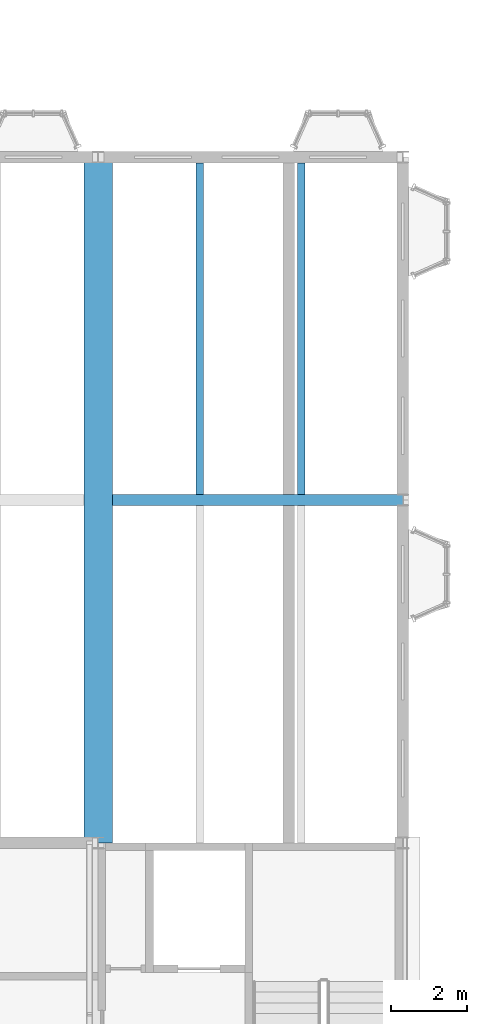
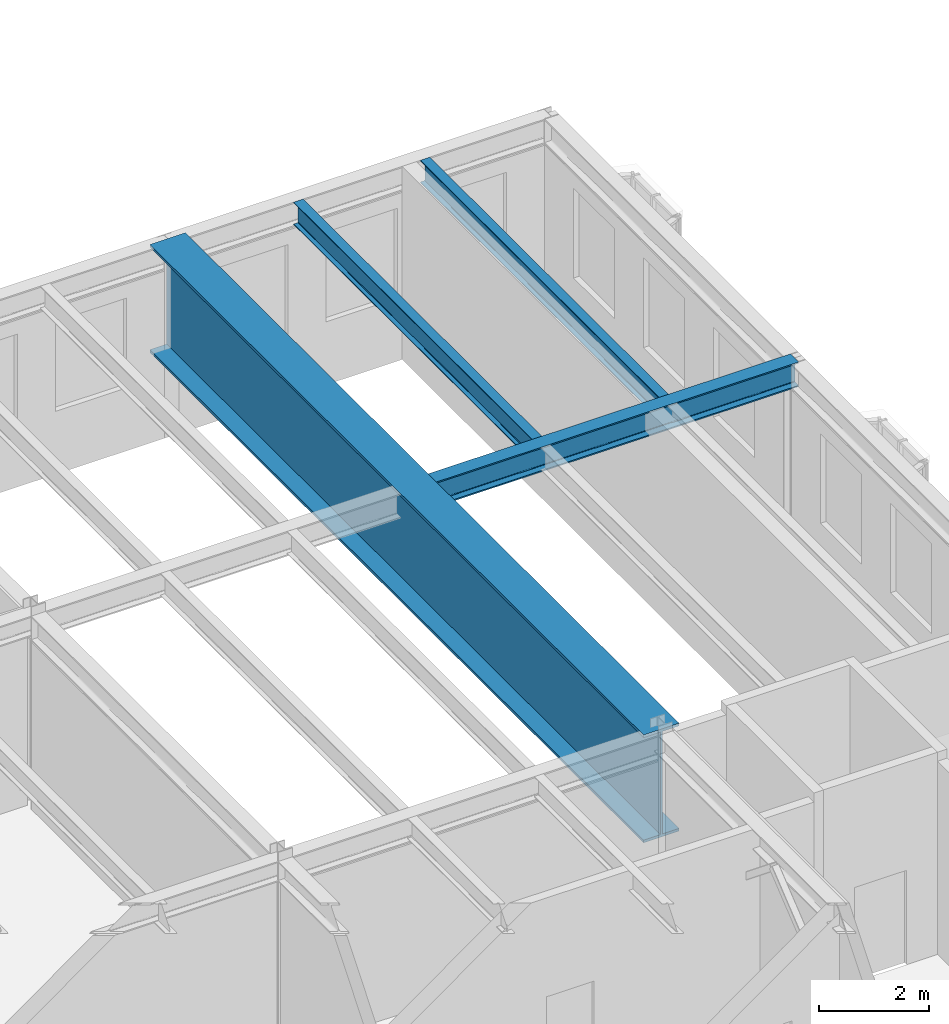
# One storey, part 23 of 153: 4 beams.
"""IFC4 building model written with IfcOpenShell, lengths in metres."""

from ifc_helpers import new_model, si_unit, direction, frame, origin, origin_2d, place, context, subcontext, project, spatial, i_section, extrude, material, material_profile, profile_set, type_object, element, save


model = new_model("IFC4")

# Units and contexts
model_context = context("Model", 3, precision=1e-05, world=origin(), true_north=direction((0.0, 1.0)))
body_context = subcontext(model_context, "Body", "Model", "MODEL_VIEW")
ifc_project = project(units=[si_unit("LENGTHUNIT", "METRE"), si_unit("AREAUNIT", "SQUARE_METRE"), si_unit("VOLUMEUNIT", "CUBIC_METRE"), si_unit("PLANEANGLEUNIT", "RADIAN"), si_unit("MASSUNIT", "GRAM", prefix="KILO")], contexts=[model_context])

# Site, building, storey
site_placement = place(None, origin())
site = spatial("IfcSite", under=ifc_project, at=site_placement, CompositionType="ELEMENT")
building_placement = place(site_placement, origin())
building = spatial("IfcBuilding", under=site, at=building_placement, Name="Kallimachos Central Library", CompositionType="ELEMENT")
storey_placement = place(building_placement, frame((0.0, 0.0, 5.39990234375)))
storey = spatial("IfcBuildingStorey", under=building, at=storey_placement, Name="L01", CompositionType="ELEMENT", Elevation=5.39990234375)

# Beams
ifc_material_1 = material(Name="Steel S355J2", Category="steel")
ifc_material_profile_1 = material_profile(ifc_material_1, i_section(OverallWidth=0.300048828125, OverallDepth=0.550048828125, WebThickness=0.014892578125, FlangeThickness=0.029052734375, FilletRadius=0.027099609375, at=origin_2d()), Name="HEB 550")
ifc_profile_set_1 = profile_set([ifc_material_profile_1], Name="Steel S355J2")
beam_type_1 = type_object("IfcBeamType", Name="HEB 550 beam", PredefinedType="BEAM", material=ifc_profile_set_1)
beam_1_placement = place(storey_placement, frame((22.375, 27.0, 4.025146484375), z_axis=(1.0, 0.0, 0.0), x_axis=(0.0, 1.0, 0.0)))
element("IfcBeam", 1, at=beam_1_placement, inside=storey, type_object=beam_type_1, Name="V6-BEM-L01-017", PredefinedType="BEAM", context=body_context, shape_type="SweptSolid", body=[
    extrude(i_section(OverallWidth=0.300048828125, OverallDepth=0.550048828125, WebThickness=0.014892578125, FlangeThickness=0.029052734375, FilletRadius=0.027099609375, at=origin_2d()), origin(), (0.0, 0.0, 1.0), 7.625),
])
ifc_material_2 = material(Name="Steel S355J2", Category="steel")
ifc_material_profile_2 = material_profile(ifc_material_2, i_section(OverallWidth=0.199951171875, OverallDepth=0.5, WebThickness=0.01025390625, FlangeThickness=0.01611328125, FilletRadius=0.02099609375, at=origin_2d()), Name="IPE 500")
ifc_profile_set_2 = profile_set([ifc_material_profile_2], Name="Steel S355J2")
beam_type_2 = type_object("IfcBeamType", Name="IPE 500 beam", PredefinedType="BEAM", material=ifc_profile_set_2)
for number, where, z_axis, x_axis, name in (
    (2, (24.666748046875, 27.14990234375, 4.050048828125), (0.0, 1.0, 0.0), (-1.0, 0.0, 0.0), "V6-BEM-L01-036"),
    (3, (27.333251953125, 27.14990234375, 4.050048828125), (0.0, 1.0, 0.0), (-1.0, 0.0, 0.0), "V6-BEM-L01-037"),
):
    element("IfcBeam", number, at=place(storey_placement, frame(where, z_axis=z_axis, x_axis=x_axis)), inside=storey, type_object=beam_type_2, Name=name, PredefinedType="BEAM", context=body_context, shape_type="SweptSolid", body=[
        extrude(i_section(OverallWidth=0.199951171875, OverallDepth=0.5, WebThickness=0.01025390625, FlangeThickness=0.01611328125, FilletRadius=0.02099609375, at=origin_2d()), origin(), (0.0, 0.0, 1.0), 8.7001953125),
    ])
ifc_material_3 = material(Name="Steel S355K2", Category="steel")
ifc_material_profile_3 = material_profile(ifc_material_3, i_section(OverallWidth=0.75, OverallDepth=2.39990234375, WebThickness=0.0400390625, FlangeThickness=0.06005859375, at=origin_2d()), Name="PG 2400x750-40/60")
ifc_profile_set_3 = profile_set([ifc_material_profile_3], Name="Steel S355K2")
beam_type_3 = type_object("IfcBeamType", Name="PG 2400x750-40/60 beam", PredefinedType="BEAM", material=ifc_profile_set_3)
beam_2_placement = place(storey_placement, frame((22.0, 18.0, 3.10009765625), z_axis=(0.0, 1.0, 0.0), x_axis=(-1.0, 0.0, 0.0)))
element("IfcBeam", 4, at=beam_2_placement, inside=storey, type_object=beam_type_3, Name="Hall roof girder", PredefinedType="BEAM", context=body_context, shape_type="SweptSolid", body=[
    extrude(i_section(OverallWidth=0.75, OverallDepth=2.39990234375, WebThickness=0.0400390625, FlangeThickness=0.06005859375, at=origin_2d()), origin(), (0.0, 0.0, 1.0), 18.0),
])

save(model, "model.ifc")
